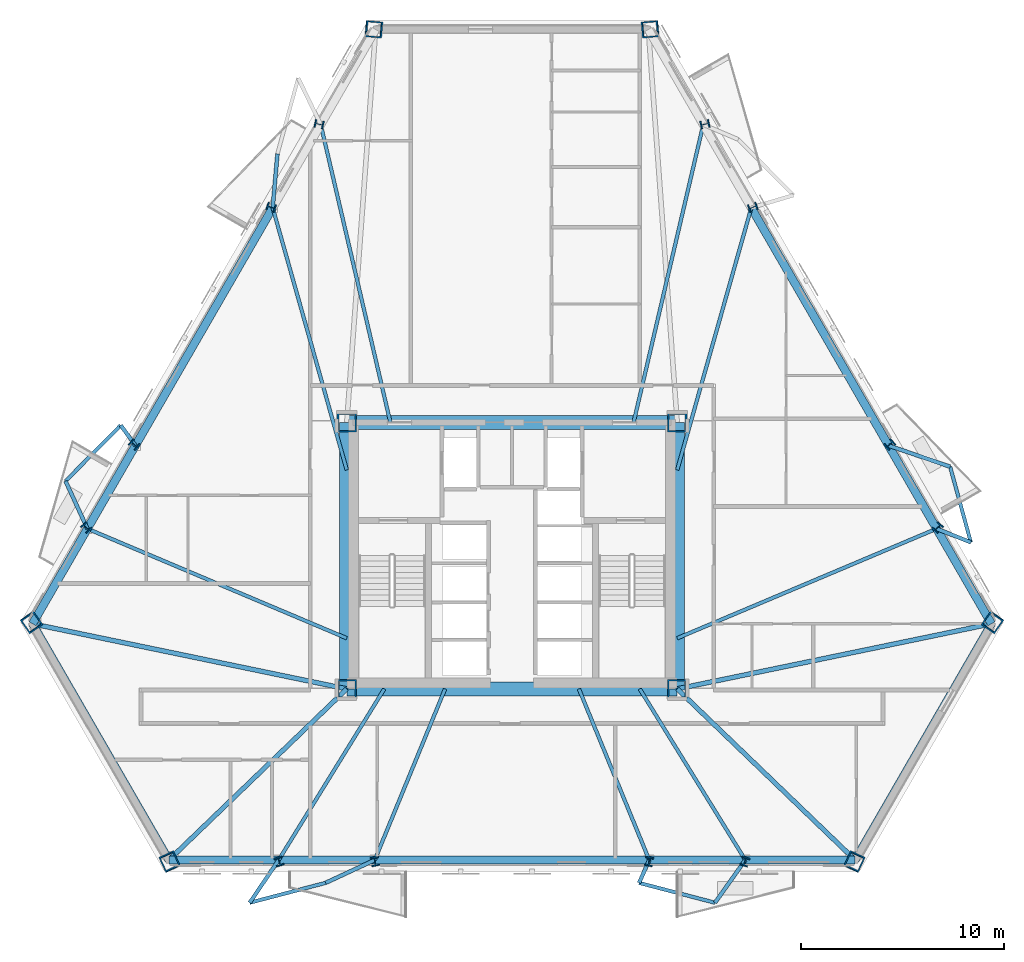
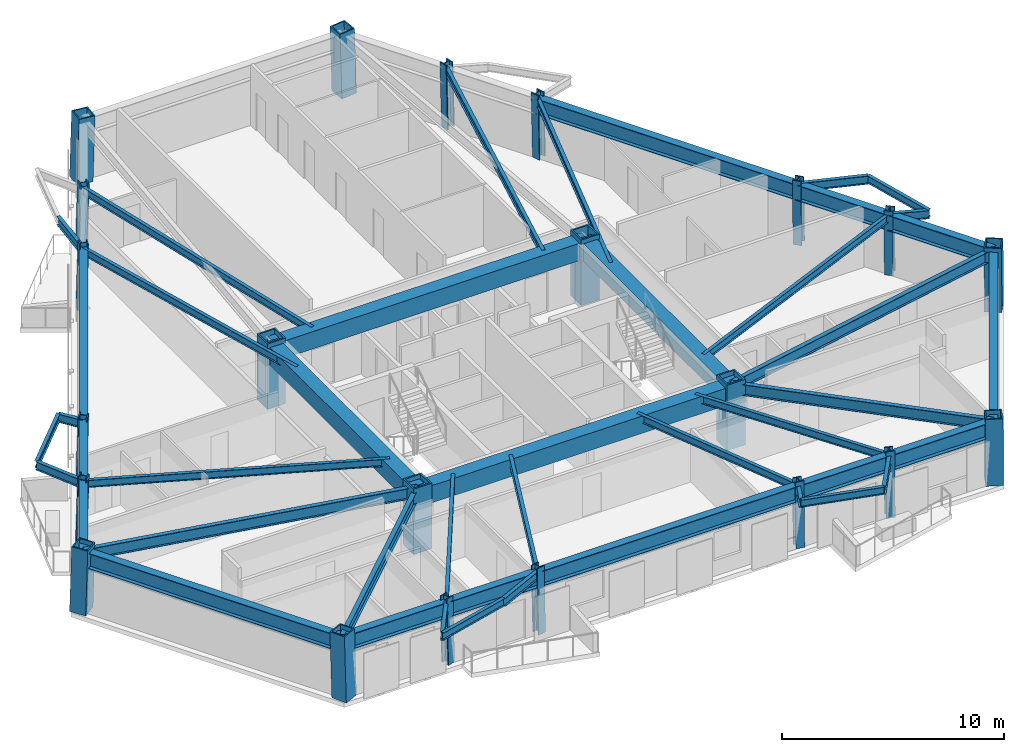
# One storey, part 1 of 10: 44 beams, 22 columns.
"""IFC4 building model written with IfcOpenShell, lengths in metres."""

from ifc_helpers import new_model, si_unit, direction, frame, origin, origin_2d, place, context, subcontext, project, spatial, rectangle, hollow_rectangle, i_section, extrude, material, material_profile, profile_set, type_object, element, save


model = new_model("IFC4")

# Units and contexts
model_context = context("Model", 3, precision=1e-05, world=origin(), true_north=direction((0.0, 1.0)))
body_context = subcontext(model_context, "Body", "Model", "MODEL_VIEW")
ifc_project = project(units=[si_unit("LENGTHUNIT", "METRE"), si_unit("AREAUNIT", "SQUARE_METRE"), si_unit("VOLUMEUNIT", "CUBIC_METRE"), si_unit("PLANEANGLEUNIT", "RADIAN"), si_unit("MASSUNIT", "GRAM", prefix="KILO")], contexts=[model_context])

# Site, building, storey
site_placement = place(None, origin())
site = spatial("IfcSite", under=ifc_project, at=site_placement, CompositionType="ELEMENT")
building_placement = place(site_placement, origin())
building = spatial("IfcBuilding", under=site, at=building_placement, Name="Oramaril Tower", CompositionType="ELEMENT")
storey_placement = place(building_placement, frame((0.0, 0.0, 66.89990234375)))
storey = spatial("IfcBuildingStorey", under=building, at=storey_placement, Name="L17", CompositionType="ELEMENT", Elevation=66.89990234375)

# Columns
ifc_material_1 = material(Name="Steel ASTM A572 Gr 50", Category="steel")
ifc_material_profile_1 = material_profile(ifc_material_1, hollow_rectangle(XDim=0.949951171875, YDim=0.949951171875, WallThickness=0.080078125, at=origin_2d()), Name="BOX950X950X80")
ifc_profile_set_1 = profile_set([ifc_material_profile_1], Name="Steel ASTM A572 Gr 50")
column_type_1 = type_object("IfcColumnType", Name="CT-CC2", PredefinedType="COLUMN", material=ifc_profile_set_1)
for number, where, z_axis, x_axis, name in (
    (1, (29.35009765625, 11.0, 0.0), (0.0, 0.0, 1.0), (1.0, 0.0, 0.0), "L17 Core Column CC-1"),
    (2, (45.64990234375, 11.0, 0.0), (0.0, 0.0, 1.0), (1.0, 0.0, 0.0), "L17 Core Column CC-2"),
    (3, (45.64990234375, 24.14990234375, 0.0), (0.0, 0.0, 1.0), (1.0, 0.0, 0.0), "L17 Core Column CC-3"),
    (4, (29.35009765625, 24.14990234375, 0.0), (0.0, 0.0, 1.0), (1.0, 0.0, 0.0), "L17 Core Column CC-4"),
):
    element("IfcColumn", number, at=place(storey_placement, frame(where, z_axis=z_axis, x_axis=x_axis)), inside=storey, type_object=column_type_1, Name=name, PredefinedType="COLUMN", context=body_context, shape_type="SweptSolid", body=[
        extrude(hollow_rectangle(XDim=0.949951171875, YDim=0.949951171875, WallThickness=0.080078125, at=origin_2d()), origin(), (0.0, 0.0, 1.0), 3.60009765625),
    ])
ifc_material_2 = material(Name="Steel ASTM A572 Gr 50", Category="steel")
ifc_material_profile_2 = material_profile(ifc_material_2, hollow_rectangle(XDim=0.800048828125, YDim=0.800048828125, WallThickness=0.06494140625, at=origin_2d()), Name="BOX800X800X65")
ifc_profile_set_2 = profile_set([ifc_material_profile_2], Name="Steel ASTM A572 Gr 50")
column_type_2 = type_object("IfcColumnType", Name="CT-TC3", PredefinedType="COLUMN", material=ifc_profile_set_2)
for number, where, z_axis, x_axis, name in (
    (5, (13.78759765625, 14.297119140625, 0.004638671875), (0.016717385231, -0.023784897687, 0.999577314505), (0.818132254309, 0.575030098743, 0.0), "L17 Tube Column TC-01"),
    (6, (20.6181640625, 2.4658203125, 0.004638671875), (-0.01223223513, 0.026367262391, 0.999577480688), (-0.907136496953, -0.420836519205, 0.0), "L17 Tube Column TC-02"),
    (7, (54.3818359375, 2.4658203125, 0.004638671875), (0.01223223513, 0.026367262391, 0.999577480688), (-0.907136496953, 0.420836519205, 0.0), "L17 Tube Column TC-03"),
    (8, (61.21240234375, 14.297119140625, 0.004638671875), (-0.016717385231, -0.023784897687, 0.999577314505), (0.818132254309, -0.575030098743, 0.0), "L17 Tube Column TC-04"),
    (9, (44.330810546875, 43.537109375, 0.004638671875), (-0.028949624745, -0.002582360893, 0.999577536082), (0.08884909331, -0.996045098687, 0.0), "L17 Tube Column TC-05"),
    (10, (30.669189453125, 43.537109375, 0.004638671875), (0.028949624745, -0.002582360893, 0.999577536082), (0.08884909331, 0.996045098687, 0.0), "L17 Tube Column TC-06"),
):
    element("IfcColumn", number, at=place(storey_placement, frame(where, z_axis=z_axis, x_axis=x_axis)), inside=storey, type_object=column_type_2, Name=name, PredefinedType="COLUMN", context=body_context, shape_type="SweptSolid", body=[
        extrude(hollow_rectangle(XDim=0.800048828125, YDim=0.800048828125, WallThickness=0.06494140625, at=origin_2d()), origin(), (0.0, 0.0, 1.0), 3.592529296875),
    ])
ifc_material_3 = material(Name="Steel ASTM A572 Gr 50", Category="steel")
ifc_material_profile_3 = material_profile(ifc_material_3, i_section(OverallWidth=0.410888671875, OverallDepth=0.43408203125, WebThickness=0.035888671875, FlangeThickness=0.057373046875, at=origin_2d()), Name="W14X311")
ifc_profile_set_3 = profile_set([ifc_material_profile_3], Name="Steel ASTM A572 Gr 50")
column_type_3 = type_object("IfcColumnType", Name="CT-TF2", PredefinedType="COLUMN", material=ifc_profile_set_3)
column_1_placement = place(storey_placement, frame((26.0205078125, 2.4658203125, 0.004638671875), z_axis=(-0.008359027369, 0.026368313978, 0.999617346128), x_axis=(-0.953247900316, -0.302189411698, 0.0)))
element("IfcColumn", 11, at=column_1_placement, inside=storey, type_object=column_type_3, Name="L17 Tube Column TC-07", PredefinedType="COLUMN", context=body_context, shape_type="SweptSolid", body=[
    extrude(i_section(OverallWidth=0.410888671875, OverallDepth=0.43408203125, WebThickness=0.035888671875, FlangeThickness=0.057373046875, at=origin_2d()), origin(), (0.0, 0.0, 1.0), 3.592529296875),
])
for number, where, z_axis, x_axis, name in (
    (12, (30.747314453125, 2.4658203125, 0.004638671875), (-0.004893201568, 0.02636891956, 0.999640303639), (-0.983214721584, -0.182452216376, 0.0), "L17 Tube Column TC-08"),
    (13, (44.252685546875, 2.4658203125, 0.004638671875), (0.004893201568, 0.02636891956, 0.999640303639), (-0.983214721584, 0.182452216376, 0.0), "L17 Tube Column TC-09"),
):
    element("IfcColumn", number, at=place(storey_placement, frame(where, z_axis=z_axis, x_axis=x_axis)), inside=storey, type_object=column_type_3, Name=name, PredefinedType="COLUMN", context=body_context, shape_type="SweptSolid", body=[
        extrude(i_section(OverallWidth=0.410888671875, OverallDepth=0.43408203125, WebThickness=0.035888671875, FlangeThickness=0.057373046875, at=origin_2d()), origin(), (0.0, 0.0, 1.0), 3.59228515625),
    ])
for number, where, z_axis, x_axis, name in (
    (14, (48.9794921875, 2.4658203125, 0.004638671875), (0.008359027369, 0.026368313978, 0.999617346128), (-0.953247900316, 0.302189411698, 0.0), "L17 Tube Column TC-10"),
    (15, (58.511474609375, 18.975341796875, 0.004638671875), (-0.018688884401, -0.020387873892, 0.999617456929), (0.737154140201, -0.675724628517, 0.0), "L17 Tube Column TC-11"),
):
    element("IfcColumn", number, at=place(storey_placement, frame(where, z_axis=z_axis, x_axis=x_axis)), inside=storey, type_object=column_type_3, Name=name, PredefinedType="COLUMN", context=body_context, shape_type="SweptSolid", body=[
        extrude(i_section(OverallWidth=0.410888671875, OverallDepth=0.43408203125, WebThickness=0.035888671875, FlangeThickness=0.057373046875, at=origin_2d()), origin(), (0.0, 0.0, 1.0), 3.592529296875),
    ])
for number, where, z_axis, x_axis, name in (
    (16, (56.14794921875, 23.069091796875, 0.004638671875), (-0.020388348906, -0.017398057733, 0.999640746877), (0.649119270697, -0.760686645348, 0.0), "L17 Tube Column TC-12"),
    (17, (49.395263671875, 34.76513671875, 0.004638671875), (-0.025281536763, -0.008970867884, 0.999640118957), (0.334409845171, -0.942427745481, 0.0), "L17 Tube Column TC-13"),
):
    element("IfcColumn", number, at=place(storey_placement, frame(where, z_axis=z_axis, x_axis=x_axis)), inside=storey, type_object=column_type_3, Name=name, PredefinedType="COLUMN", context=body_context, shape_type="SweptSolid", body=[
        extrude(i_section(OverallWidth=0.410888671875, OverallDepth=0.43408203125, WebThickness=0.035888671875, FlangeThickness=0.057373046875, at=origin_2d()), origin(), (0.0, 0.0, 1.0), 3.59228515625),
    ])
for number, where, z_axis, x_axis, name in (
    (18, (47.03173828125, 38.858642578125, 0.004638671875), (-0.026979970064, -0.005980446765, 0.999618084806), (0.216409655053, -0.976302648363, 0.0), "L17 Tube Column TC-14"),
    (19, (27.96826171875, 38.858642578125, 0.004638671875), (0.026979970064, -0.005980446765, 0.999618084806), (0.216409655053, 0.976302648363, 0.0), "L17 Tube Column TC-15"),
):
    element("IfcColumn", number, at=place(storey_placement, frame(where, z_axis=z_axis, x_axis=x_axis)), inside=storey, type_object=column_type_3, Name=name, PredefinedType="COLUMN", context=body_context, shape_type="SweptSolid", body=[
        extrude(i_section(OverallWidth=0.410888671875, OverallDepth=0.43408203125, WebThickness=0.035888671875, FlangeThickness=0.057373046875, at=origin_2d()), origin(), (0.0, 0.0, 1.0), 3.592529296875),
    ])
for number, where, z_axis, x_axis, name in (
    (20, (25.604736328125, 34.76513671875, 0.004638671875), (0.025281536763, -0.008970867884, 0.999640118957), (0.334409845171, 0.942427745481, 0.0), "L17 Tube Column TC-16"),
    (21, (18.85205078125, 23.069091796875, 0.004638671875), (0.020388348906, -0.017398057733, 0.999640746877), (0.649119270697, 0.760686645348, 0.0), "L17 Tube Column TC-17"),
):
    element("IfcColumn", number, at=place(storey_placement, frame(where, z_axis=z_axis, x_axis=x_axis)), inside=storey, type_object=column_type_3, Name=name, PredefinedType="COLUMN", context=body_context, shape_type="SweptSolid", body=[
        extrude(i_section(OverallWidth=0.410888671875, OverallDepth=0.43408203125, WebThickness=0.035888671875, FlangeThickness=0.057373046875, at=origin_2d()), origin(), (0.0, 0.0, 1.0), 3.59228515625),
    ])
column_2_placement = place(storey_placement, frame((16.488525390625, 18.975341796875, 0.004638671875), z_axis=(0.018688884401, -0.020387873892, 0.999617456929), x_axis=(0.737154140201, 0.675724628517, 0.0)))
element("IfcColumn", 22, at=column_2_placement, inside=storey, type_object=column_type_3, Name="L17 Tube Column TC-18", PredefinedType="COLUMN", context=body_context, shape_type="SweptSolid", body=[
    extrude(i_section(OverallWidth=0.410888671875, OverallDepth=0.43408203125, WebThickness=0.035888671875, FlangeThickness=0.057373046875, at=origin_2d()), origin(), (0.0, 0.0, 1.0), 3.592529296875),
])

# Beams
ifc_material_4 = material(Name="Steel ASTM A572 Gr 50", Category="steel")
ifc_material_profile_4 = material_profile(ifc_material_4, i_section(OverallWidth=0.19091796875, OverallDepth=0.45703125, WebThickness=0.009033203125, FlangeThickness=0.014404296875, at=origin_2d()), Name="W18X50")
ifc_profile_set_4 = profile_set([ifc_material_profile_4], Name="Steel ASTM A572 Gr 50")
beam_type_1 = type_object("IfcBeamType", Name="BT-BB1", PredefinedType="BEAM", material=ifc_profile_set_4)
beam_1_placement = place(storey_placement, frame((25.990478515625, 2.560546875, 3.131591796875), z_axis=(-0.561055877762, -0.827777930383, 0.0), x_axis=(0.827777930383, -0.561055877762, 0.0)))
element("IfcBeam", 23, at=beam_1_placement, inside=storey, type_object=beam_type_1, Name="L17 Balcony Column-Framed Cantilever 01.1", PredefinedType="BEAM", context=body_context, shape_type="SweptSolid", body=[
    extrude(i_section(OverallWidth=0.19091796875, OverallDepth=0.45703125, WebThickness=0.009033203125, FlangeThickness=0.014404296875, at=origin_2d()), origin(), (0.0, 0.0, 1.0), 2.54638671875),
])
beam_2_placement = place(storey_placement, frame((30.729736328125, 2.560546875, 3.131591796875), z_axis=(-0.906656137899, -0.421870415661, 0.0), x_axis=(0.421870415661, -0.906656137899, 0.0)))
element("IfcBeam", 24, at=beam_2_placement, inside=storey, type_object=beam_type_1, Name="L17 Balcony Column-Framed Cantilever 01.2", PredefinedType="BEAM", context=body_context, shape_type="SweptSolid", body=[
    extrude(i_section(OverallWidth=0.19091796875, OverallDepth=0.45703125, WebThickness=0.009033203125, FlangeThickness=0.014404296875, at=origin_2d()), origin(), (0.0, 0.0, 1.0), 2.673583984375),
])
beam_3_placement = place(storey_placement, frame((44.270263671875, 2.560546875, 3.131591796875), z_axis=(-0.405918205637, -0.913909410353, 0.0), x_axis=(0.913909410353, -0.405918205637, 0.0)))
element("IfcBeam", 25, at=beam_3_placement, inside=storey, type_object=beam_type_1, Name="L17 Balcony Column-Framed Cantilever 02.1", PredefinedType="BEAM", context=body_context, shape_type="SweptSolid", body=[
    extrude(i_section(OverallWidth=0.19091796875, OverallDepth=0.45703125, WebThickness=0.009033203125, FlangeThickness=0.014404296875, at=origin_2d()), origin(), (0.0, 0.0, 1.0), 1.234130859375),
])
beam_4_placement = place(storey_placement, frame((49.009521484375, 2.560546875, 3.131591796875), z_axis=(-0.578850334688, -0.815433804813, 0.0), x_axis=(0.815433804813, -0.578850334688, 0.0)))
element("IfcBeam", 26, at=beam_4_placement, inside=storey, type_object=beam_type_1, Name="L17 Balcony Column-Framed Cantilever 02.2", PredefinedType="BEAM", context=body_context, shape_type="SweptSolid", body=[
    extrude(i_section(OverallWidth=0.19091796875, OverallDepth=0.45703125, WebThickness=0.009033203125, FlangeThickness=0.014404296875, at=origin_2d()), origin(), (0.0, 0.0, 1.0), 2.5849609375),
])
beam_5_placement = place(storey_placement, frame((58.4443359375, 18.902099609375, 3.131591796875), z_axis=(0.929067500926, -0.369910230627, 0.0), x_axis=(0.369910230627, 0.929067500926, 0.0)))
element("IfcBeam", 27, at=beam_5_placement, inside=storey, type_object=beam_type_1, Name="L17 Balcony Column-Framed Cantilever 03.1", PredefinedType="BEAM", context=body_context, shape_type="SweptSolid", body=[
    extrude(i_section(OverallWidth=0.19091796875, OverallDepth=0.45703125, WebThickness=0.009033203125, FlangeThickness=0.014404296875, at=origin_2d()), origin(), (0.0, 0.0, 1.0), 1.8203125),
])
beam_6_placement = place(storey_placement, frame((56.07470703125, 23.006591796875, 3.131591796875), z_axis=(0.945568258456, -0.325423829184, 0.0), x_axis=(0.325423829184, 0.945568258456, 0.0)))
element("IfcBeam", 28, at=beam_6_placement, inside=storey, type_object=beam_type_1, Name="L17 Balcony Column-Framed Cantilever 03.2", PredefinedType="BEAM", context=body_context, shape_type="SweptSolid", body=[
    extrude(i_section(OverallWidth=0.19091796875, OverallDepth=0.45703125, WebThickness=0.009033203125, FlangeThickness=0.014404296875, at=origin_2d()), origin(), (0.0, 0.0, 1.0), 3.21240234375),
])
beam_7_placement = place(storey_placement, frame((25.695556640625, 34.73291015625, 3.131591796875), z_axis=(0.087933783868, 0.996126322137, 0.0), x_axis=(-0.996126322137, 0.087933783868, 0.0)))
element("IfcBeam", 29, at=beam_7_placement, inside=storey, type_object=beam_type_1, Name="L17 Balcony Column-Framed Cantilever 05.2", PredefinedType="BEAM", context=body_context, shape_type="SweptSolid", body=[
    extrude(i_section(OverallWidth=0.19091796875, OverallDepth=0.45703125, WebThickness=0.009033203125, FlangeThickness=0.014404296875, at=origin_2d()), origin(), (0.0, 0.0, 1.0), 2.673583984375),
])
beam_8_placement = place(storey_placement, frame((18.92529296875, 23.006591796875, 3.131591796875), z_axis=(-0.588512750182, 0.808487936133, 0.0), x_axis=(-0.808487936133, -0.588512750182, 0.0)))
element("IfcBeam", 30, at=beam_8_placement, inside=storey, type_object=beam_type_1, Name="L17 Balcony Column-Framed Cantilever 06.1", PredefinedType="BEAM", context=body_context, shape_type="SweptSolid", body=[
    extrude(i_section(OverallWidth=0.19091796875, OverallDepth=0.45703125, WebThickness=0.009033203125, FlangeThickness=0.014404296875, at=origin_2d()), origin(), (0.0, 0.0, 1.0), 1.234130859375),
])
beam_9_placement = place(storey_placement, frame((16.5556640625, 18.902099609375, 3.131591796875), z_axis=(-0.41677502965, 0.909009666979, 0.0), x_axis=(-0.909009666979, -0.41677502965, 0.0)))
element("IfcBeam", 31, at=beam_9_placement, inside=storey, type_object=beam_type_1, Name="L17 Balcony Column-Framed Cantilever 06.2", PredefinedType="BEAM", context=body_context, shape_type="SweptSolid", body=[
    extrude(i_section(OverallWidth=0.19091796875, OverallDepth=0.45703125, WebThickness=0.009033203125, FlangeThickness=0.014404296875, at=origin_2d()), origin(), (0.0, 0.0, 1.0), 2.5849609375),
])
ifc_material_5 = material(Name="Concrete C50/60", Category="concrete")
ifc_material_profile_5 = material_profile(ifc_material_5, rectangle(XDim=0.699951171875, YDim=0.949951171875, at=origin_2d()), Name="CB700X950")
ifc_profile_set_5 = profile_set([ifc_material_profile_5], Name="Concrete C50/60")
beam_type_2 = type_object("IfcBeamType", Name="BT-CB1", PredefinedType="BEAM", material=ifc_profile_set_5)
beam_10_placement = place(storey_placement, frame((29.35009765625, 11.0, 2.885009765625), z_axis=(1.0, 0.0, 0.0), x_axis=(0.0, 1.0, 0.0)))
element("IfcBeam", 32, at=beam_10_placement, inside=storey, type_object=beam_type_2, Name="L17 Core Header Beam CB-1", PredefinedType="BEAM", context=body_context, shape_type="SweptSolid", body=[
    extrude(rectangle(XDim=0.699951171875, YDim=0.949951171875, at=origin_2d()), origin(), (0.0, 0.0, 1.0), 16.2998046875),
])
beam_11_placement = place(storey_placement, frame((45.64990234375, 11.0, 2.885009765625), z_axis=(0.0, 1.0, 0.0), x_axis=(-1.0, 0.0, 0.0)))
element("IfcBeam", 33, at=beam_11_placement, inside=storey, type_object=beam_type_2, Name="L17 Core Header Beam CB-2", PredefinedType="BEAM", context=body_context, shape_type="SweptSolid", body=[
    extrude(rectangle(XDim=0.699951171875, YDim=0.949951171875, at=origin_2d()), origin(), (0.0, 0.0, 1.0), 13.14990234375),
])
beam_12_placement = place(storey_placement, frame((45.64990234375, 24.14990234375, 2.885009765625), z_axis=(-1.0, 0.0, 0.0), x_axis=(0.0, -1.0, 0.0)))
element("IfcBeam", 34, at=beam_12_placement, inside=storey, type_object=beam_type_2, Name="L17 Core Header Beam CB-3", PredefinedType="BEAM", context=body_context, shape_type="SweptSolid", body=[
    extrude(rectangle(XDim=0.699951171875, YDim=0.949951171875, at=origin_2d()), origin(), (0.0, 0.0, 1.0), 16.2998046875),
])
beam_13_placement = place(storey_placement, frame((29.35009765625, 24.14990234375, 2.885009765625), z_axis=(0.0, -1.0, 0.0), x_axis=(1.0, 0.0, 0.0)))
element("IfcBeam", 35, at=beam_13_placement, inside=storey, type_object=beam_type_2, Name="L17 Core Header Beam CB-4", PredefinedType="BEAM", context=body_context, shape_type="SweptSolid", body=[
    extrude(rectangle(XDim=0.699951171875, YDim=0.949951171875, at=origin_2d()), origin(), (0.0, 0.0, 1.0), 13.14990234375),
])
ifc_material_6 = material(Name="Steel ASTM A572 Gr 50", Category="steel")
ifc_material_profile_6 = material_profile(ifc_material_6, i_section(OverallWidth=0.22900390625, OverallDepth=0.612060546875, WebThickness=0.011962890625, FlangeThickness=0.01953125, at=origin_2d()), Name="W24X84")
ifc_profile_set_6 = profile_set([ifc_material_profile_6], Name="Steel ASTM A572 Gr 50")
beam_type_3 = type_object("IfcBeamType", Name="BT-FB1", PredefinedType="BEAM", material=ifc_profile_set_6)
beam_14_placement = place(storey_placement, frame((29.35009765625, 11.0, 3.05419921875), z_axis=(-0.979206895202, 0.202864132829, 0.0), x_axis=(-0.202864132829, -0.979206895202, 0.0)))
element("IfcBeam", 36, at=beam_14_placement, inside=storey, type_object=beam_type_3, Name="L17 Radial Primary Beam RB-01", PredefinedType="BEAM", context=body_context, shape_type="SweptSolid", body=[
    extrude(i_section(OverallWidth=0.22900390625, OverallDepth=0.612060546875, WebThickness=0.011962890625, FlangeThickness=0.01953125, at=origin_2d()), origin(), (0.0, 0.0, 1.0), 15.83154296875),
])
for number, where, z_axis, x_axis, name in (
    (37, (29.35009765625, 11.0, 3.05419921875), (-0.720787595811, -0.693156001002, 0.0), (0.693156001002, -0.720787595811, 0.0), "L17 Radial Primary Beam RB-02"),
    (38, (45.64990234375, 11.0, 3.05419921875), (0.720787595811, -0.693156001002, 0.0), (0.693156001002, 0.720787595811, 0.0), "L17 Radial Primary Beam RB-03"),
):
    element("IfcBeam", number, at=place(storey_placement, frame(where, z_axis=z_axis, x_axis=x_axis)), inside=storey, type_object=beam_type_3, Name=name, PredefinedType="BEAM", context=body_context, shape_type="SweptSolid", body=[
        extrude(i_section(OverallWidth=0.22900390625, OverallDepth=0.612060546875, WebThickness=0.011962890625, FlangeThickness=0.01953125, at=origin_2d()), origin(), (0.0, 0.0, 1.0), 12.17529296875),
    ])
beam_15_placement = place(storey_placement, frame((45.64990234375, 11.0, 3.05419921875), z_axis=(0.979206895202, 0.202864132829, 0.0), x_axis=(-0.202864132829, 0.979206895202, 0.0)))
element("IfcBeam", 39, at=beam_15_placement, inside=storey, type_object=beam_type_3, Name="L17 Radial Primary Beam RB-04", PredefinedType="BEAM", context=body_context, shape_type="SweptSolid", body=[
    extrude(i_section(OverallWidth=0.22900390625, OverallDepth=0.612060546875, WebThickness=0.011962890625, FlangeThickness=0.01953125, at=origin_2d()), origin(), (0.0, 0.0, 1.0), 15.83154296875),
])
ifc_material_7 = material(Name="Steel ASTM A572 Gr 50", Category="steel")
ifc_material_profile_7 = material_profile(ifc_material_7, i_section(OverallWidth=0.177978515625, OverallDepth=0.404052734375, WebThickness=0.007568359375, FlangeThickness=0.010986328125, at=origin_2d()), Name="W16X36")
ifc_profile_set_7 = profile_set([ifc_material_profile_7], Name="Steel ASTM A572 Gr 50")
beam_type_4 = type_object("IfcBeamType", Name="BT-SB1", PredefinedType="BEAM", material=ifc_profile_set_7)
beam_16_placement = place(storey_placement, frame((31.199951171875, 11.0, 3.158203125), z_axis=(-0.525264362553, -0.850939098544, 0.0), x_axis=(0.850939098544, -0.525264362553, 0.0)))
element("IfcBeam", 40, at=beam_16_placement, inside=storey, type_object=beam_type_4, Name="L17 Secondary Floor Beam SB-01", PredefinedType="BEAM", context=body_context, shape_type="SweptSolid", body=[
    extrude(i_section(OverallWidth=0.177978515625, OverallDepth=0.404052734375, WebThickness=0.007568359375, FlangeThickness=0.010986328125, at=origin_2d()), origin(), (0.0, 0.0, 1.0), 9.917724609375),
])
for number, where, z_axis, x_axis, name in (
    (41, (34.199951171875, 11.0, 3.158203125), (-0.380294924965, -0.924865271294, 0.0), (0.924865271294, -0.380294924965, 0.0), "L17 Secondary Floor Beam SB-02"),
    (42, (40.800048828125, 11.0, 3.158203125), (0.380294924965, -0.924865271294, 0.0), (0.924865271294, 0.380294924965, 0.0), "L17 Secondary Floor Beam SB-03"),
):
    element("IfcBeam", number, at=place(storey_placement, frame(where, z_axis=z_axis, x_axis=x_axis)), inside=storey, type_object=beam_type_4, Name=name, PredefinedType="BEAM", context=body_context, shape_type="SweptSolid", body=[
        extrude(i_section(OverallWidth=0.177978515625, OverallDepth=0.404052734375, WebThickness=0.007568359375, FlangeThickness=0.010986328125, at=origin_2d()), origin(), (0.0, 0.0, 1.0), 9.125),
    ])
beam_17_placement = place(storey_placement, frame((43.800048828125, 11.0, 3.158203125), z_axis=(0.525264362553, -0.850939098544, 0.0), x_axis=(0.850939098544, 0.525264362553, 0.0)))
element("IfcBeam", 43, at=beam_17_placement, inside=storey, type_object=beam_type_4, Name="L17 Secondary Floor Beam SB-04", PredefinedType="BEAM", context=body_context, shape_type="SweptSolid", body=[
    extrude(i_section(OverallWidth=0.177978515625, OverallDepth=0.404052734375, WebThickness=0.007568359375, FlangeThickness=0.010986328125, at=origin_2d()), origin(), (0.0, 0.0, 1.0), 9.917724609375),
])
beam_18_placement = place(storey_placement, frame((45.64990234375, 13.5, 3.158203125), z_axis=(0.921249421427, 0.388972368582, 0.0), x_axis=(-0.388972368582, 0.921249421427, 0.0)))
element("IfcBeam", 44, at=beam_18_placement, inside=storey, type_object=beam_type_4, Name="L17 Secondary Floor Beam SB-05", PredefinedType="BEAM", context=body_context, shape_type="SweptSolid", body=[
    extrude(i_section(OverallWidth=0.177978515625, OverallDepth=0.404052734375, WebThickness=0.007568359375, FlangeThickness=0.010986328125, at=origin_2d()), origin(), (0.0, 0.0, 1.0), 13.88818359375),
])
beam_19_placement = place(storey_placement, frame((45.64990234375, 21.800048828125, 3.158203125), z_axis=(0.271929576963, 0.962317154151, 0.0), x_axis=(-0.962317154151, 0.271929576963, 0.0)))
element("IfcBeam", 45, at=beam_19_placement, inside=storey, type_object=beam_type_4, Name="L17 Secondary Floor Beam SB-06", PredefinedType="BEAM", context=body_context, shape_type="SweptSolid", body=[
    extrude(i_section(OverallWidth=0.177978515625, OverallDepth=0.404052734375, WebThickness=0.007568359375, FlangeThickness=0.010986328125, at=origin_2d()), origin(), (0.0, 0.0, 1.0), 13.439208984375),
])
for number, where, z_axis, x_axis, name in (
    (46, (43.5, 24.14990234375, 3.158203125), (0.227719256893, 0.973726830297, 0.0), (-0.973726830297, 0.227719256893, 0.0), "L17 Secondary Floor Beam SB-07"),
    (47, (31.5, 24.14990234375, 3.158203125), (-0.227719256893, 0.973726830297, 0.0), (-0.973726830297, -0.227719256893, 0.0), "L17 Secondary Floor Beam SB-08"),
):
    element("IfcBeam", number, at=place(storey_placement, frame(where, z_axis=z_axis, x_axis=x_axis)), inside=storey, type_object=beam_type_4, Name=name, PredefinedType="BEAM", context=body_context, shape_type="SweptSolid", body=[
        extrude(i_section(OverallWidth=0.177978515625, OverallDepth=0.404052734375, WebThickness=0.007568359375, FlangeThickness=0.010986328125, at=origin_2d()), origin(), (0.0, 0.0, 1.0), 15.08349609375),
    ])
beam_20_placement = place(storey_placement, frame((29.35009765625, 21.800048828125, 3.158203125), z_axis=(-0.271929576963, 0.962317154151, 0.0), x_axis=(-0.962317154151, -0.271929576963, 0.0)))
element("IfcBeam", 48, at=beam_20_placement, inside=storey, type_object=beam_type_4, Name="L17 Secondary Floor Beam SB-09", PredefinedType="BEAM", context=body_context, shape_type="SweptSolid", body=[
    extrude(i_section(OverallWidth=0.177978515625, OverallDepth=0.404052734375, WebThickness=0.007568359375, FlangeThickness=0.010986328125, at=origin_2d()), origin(), (0.0, 0.0, 1.0), 13.439208984375),
])
beam_21_placement = place(storey_placement, frame((29.35009765625, 13.5, 3.158203125), z_axis=(-0.921249421427, 0.388972368582, 0.0), x_axis=(-0.388972368582, -0.921249421427, 0.0)))
element("IfcBeam", 49, at=beam_21_placement, inside=storey, type_object=beam_type_4, Name="L17 Secondary Floor Beam SB-10", PredefinedType="BEAM", context=body_context, shape_type="SweptSolid", body=[
    extrude(i_section(OverallWidth=0.177978515625, OverallDepth=0.404052734375, WebThickness=0.007568359375, FlangeThickness=0.010986328125, at=origin_2d()), origin(), (0.0, 0.0, 1.0), 13.88818359375),
])
for number, where, z_axis, x_axis, name in (
    (50, (24.561767578125, 0.45263671875, 3.158203125), (0.967407922874, 0.253223045479, 0.0), (-0.253223045479, 0.967407922874, 0.0), "L17 Balcony Edge Tie Beam 01"),
    (51, (43.769287109375, 1.4326171875, 3.158203125), (0.967407922874, -0.253223045479, 0.0), (0.253223045479, 0.967407922874, 0.0), "L17 Balcony Edge Tie Beam 02"),
    (52, (60.135498046875, 18.228759765625, 3.158203125), (-0.264382243015, 0.964417974521, 0.0), (-0.964417974521, -0.264382243015, 0.0), "L17 Balcony Edge Tie Beam 03"),
    (53, (18.198974609375, 24.00439453125, 3.158203125), (-0.702994511648, -0.71119527318, 0.0), (0.71119527318, -0.702994511648, 0.0), "L17 Balcony Edge Tie Beam 06"),
):
    element("IfcBeam", number, at=place(storey_placement, frame(where, z_axis=z_axis, x_axis=x_axis)), inside=storey, type_object=beam_type_4, Name=name, PredefinedType="BEAM", context=body_context, shape_type="SweptSolid", body=[
        extrude(i_section(OverallWidth=0.177978515625, OverallDepth=0.404052734375, WebThickness=0.007568359375, FlangeThickness=0.010986328125, at=origin_2d()), origin(), (0.0, 0.0, 1.0), 3.8701171875),
    ])
ifc_material_8 = material(Name="Steel ASTM A572 Gr 50", Category="steel")
ifc_material_profile_8 = material_profile(ifc_material_8, i_section(OverallWidth=0.40087890625, OverallDepth=0.85595703125, WebThickness=0.018310546875, FlangeThickness=0.029296875, at=origin_2d()), Name="W33X201")
ifc_profile_set_8 = profile_set([ifc_material_profile_8], Name="Steel ASTM A572 Gr 50")
beam_type_5 = type_object("IfcBeamType", Name="BT-SP1", PredefinedType="SPANDREL", material=ifc_profile_set_8)
beam_22_placement = place(storey_placement, frame((13.84765625, 14.211669921875, 2.93212890625), z_axis=(0.499987929025, -0.866032372853, 0.0), x_axis=(0.866032372853, 0.499987929025, 0.0)))
element("IfcBeam", 54, at=beam_22_placement, inside=storey, type_object=beam_type_5, Name="L17 Perimeter Spandrel 01", PredefinedType="SPANDREL", context=body_context, shape_type="SweptSolid", body=[
    extrude(i_section(OverallWidth=0.40087890625, OverallDepth=0.85595703125, WebThickness=0.018310546875, FlangeThickness=0.029296875, at=origin_2d()), origin(), (0.0, 0.0, 1.0), 13.453369140625),
])
beam_23_placement = place(storey_placement, frame((20.57421875, 2.560546875, 2.93212890625), z_axis=(1.0, 0.0, 0.0), x_axis=(0.0, 1.0, 0.0)))
element("IfcBeam", 55, at=beam_23_placement, inside=storey, type_object=beam_type_5, Name="L17 Perimeter Spandrel 02", PredefinedType="SPANDREL", context=body_context, shape_type="SweptSolid", body=[
    extrude(i_section(OverallWidth=0.40087890625, OverallDepth=0.85595703125, WebThickness=0.018310546875, FlangeThickness=0.029296875, at=origin_2d()), origin(), (0.0, 0.0, 1.0), 5.416259765625),
])
beam_24_placement = place(storey_placement, frame((25.990478515625, 2.560546875, 2.93212890625), z_axis=(1.0, 0.0, 0.0), x_axis=(0.0, 1.0, 0.0)))
element("IfcBeam", 56, at=beam_24_placement, inside=storey, type_object=beam_type_5, Name="L17 Perimeter Spandrel 03", PredefinedType="SPANDREL", context=body_context, shape_type="SweptSolid", body=[
    extrude(i_section(OverallWidth=0.40087890625, OverallDepth=0.85595703125, WebThickness=0.018310546875, FlangeThickness=0.029296875, at=origin_2d()), origin(), (0.0, 0.0, 1.0), 4.7392578125),
])
beam_25_placement = place(storey_placement, frame((30.729736328125, 2.560546875, 2.93212890625), z_axis=(1.0, 0.0, 0.0), x_axis=(0.0, 1.0, 0.0)))
element("IfcBeam", 57, at=beam_25_placement, inside=storey, type_object=beam_type_5, Name="L17 Perimeter Spandrel 04", PredefinedType="SPANDREL", context=body_context, shape_type="SweptSolid", body=[
    extrude(i_section(OverallWidth=0.40087890625, OverallDepth=0.85595703125, WebThickness=0.018310546875, FlangeThickness=0.029296875, at=origin_2d()), origin(), (0.0, 0.0, 1.0), 13.54052734375),
])
beam_26_placement = place(storey_placement, frame((44.270263671875, 2.560546875, 2.93212890625), z_axis=(1.0, 0.0, 0.0), x_axis=(0.0, 1.0, 0.0)))
element("IfcBeam", 58, at=beam_26_placement, inside=storey, type_object=beam_type_5, Name="L17 Perimeter Spandrel 05", PredefinedType="SPANDREL", context=body_context, shape_type="SweptSolid", body=[
    extrude(i_section(OverallWidth=0.40087890625, OverallDepth=0.85595703125, WebThickness=0.018310546875, FlangeThickness=0.029296875, at=origin_2d()), origin(), (0.0, 0.0, 1.0), 4.7392578125),
])
beam_27_placement = place(storey_placement, frame((49.009521484375, 2.560546875, 2.93212890625), z_axis=(1.0, 0.0, 0.0), x_axis=(0.0, 1.0, 0.0)))
element("IfcBeam", 59, at=beam_27_placement, inside=storey, type_object=beam_type_5, Name="L17 Perimeter Spandrel 06", PredefinedType="SPANDREL", context=body_context, shape_type="SweptSolid", body=[
    extrude(i_section(OverallWidth=0.40087890625, OverallDepth=0.85595703125, WebThickness=0.018310546875, FlangeThickness=0.029296875, at=origin_2d()), origin(), (0.0, 0.0, 1.0), 5.416259765625),
])
beam_28_placement = place(storey_placement, frame((54.42578125, 2.560546875, 2.93212890625), z_axis=(0.499987929025, 0.866032372853, 0.0), x_axis=(-0.866032372853, 0.499987929025, 0.0)))
element("IfcBeam", 60, at=beam_28_placement, inside=storey, type_object=beam_type_5, Name="L17 Perimeter Spandrel 07", PredefinedType="SPANDREL", context=body_context, shape_type="SweptSolid", body=[
    extrude(i_section(OverallWidth=0.40087890625, OverallDepth=0.85595703125, WebThickness=0.018310546875, FlangeThickness=0.029296875, at=origin_2d()), origin(), (0.0, 0.0, 1.0), 13.453369140625),
])
beam_29_placement = place(storey_placement, frame((61.15234375, 14.211669921875, 2.93212890625), z_axis=(-0.499998195608, 0.866026445548, 0.0), x_axis=(-0.866026445548, -0.499998195608, 0.0)))
element("IfcBeam", 61, at=beam_29_placement, inside=storey, type_object=beam_type_5, Name="L17 Perimeter Spandrel 08", PredefinedType="SPANDREL", context=body_context, shape_type="SweptSolid", body=[
    extrude(i_section(OverallWidth=0.40087890625, OverallDepth=0.85595703125, WebThickness=0.018310546875, FlangeThickness=0.029296875, at=origin_2d()), origin(), (0.0, 0.0, 1.0), 5.416015625),
])
beam_30_placement = place(storey_placement, frame((58.4443359375, 18.902099609375, 2.93212890625), z_axis=(-0.4999840544, 0.866034609785, 0.0), x_axis=(-0.866034609785, -0.4999840544, 0.0)))
element("IfcBeam", 62, at=beam_30_placement, inside=storey, type_object=beam_type_5, Name="L17 Perimeter Spandrel 09", PredefinedType="SPANDREL", context=body_context, shape_type="SweptSolid", body=[
    extrude(i_section(OverallWidth=0.40087890625, OverallDepth=0.85595703125, WebThickness=0.018310546875, FlangeThickness=0.029296875, at=origin_2d()), origin(), (0.0, 0.0, 1.0), 4.739501953125),
])
for number, where, z_axis, x_axis, name in (
    (63, (56.07470703125, 23.006591796875, 2.93212890625), (-0.500003911089, 0.866023145704, 0.0), (-0.866023145704, -0.500003911089, 0.0), "L17 Perimeter Spandrel 10"),
    (64, (25.695556640625, 34.73291015625, 2.93212890625), (-0.500003911089, -0.866023145704, 0.0), (0.866023145704, -0.500003911089, 0.0), "L17 Perimeter Spandrel 16"),
):
    element("IfcBeam", number, at=place(storey_placement, frame(where, z_axis=z_axis, x_axis=x_axis)), inside=storey, type_object=beam_type_5, Name=name, PredefinedType="SPANDREL", context=body_context, shape_type="SweptSolid", body=[
        extrude(i_section(OverallWidth=0.40087890625, OverallDepth=0.85595703125, WebThickness=0.018310546875, FlangeThickness=0.029296875, at=origin_2d()), origin(), (0.0, 0.0, 1.0), 13.54052734375),
    ])
beam_31_placement = place(storey_placement, frame((18.92529296875, 23.006591796875, 2.93212890625), z_axis=(-0.4999840544, -0.866034609785, 0.0), x_axis=(0.866034609785, -0.4999840544, 0.0)))
element("IfcBeam", 65, at=beam_31_placement, inside=storey, type_object=beam_type_5, Name="L17 Perimeter Spandrel 17", PredefinedType="SPANDREL", context=body_context, shape_type="SweptSolid", body=[
    extrude(i_section(OverallWidth=0.40087890625, OverallDepth=0.85595703125, WebThickness=0.018310546875, FlangeThickness=0.029296875, at=origin_2d()), origin(), (0.0, 0.0, 1.0), 4.739501953125),
])
beam_32_placement = place(storey_placement, frame((16.5556640625, 18.902099609375, 2.93212890625), z_axis=(-0.499998195608, -0.866026445548, 0.0), x_axis=(0.866026445548, -0.499998195608, 0.0)))
element("IfcBeam", 66, at=beam_32_placement, inside=storey, type_object=beam_type_5, Name="L17 Perimeter Spandrel 18", PredefinedType="SPANDREL", context=body_context, shape_type="SweptSolid", body=[
    extrude(i_section(OverallWidth=0.40087890625, OverallDepth=0.85595703125, WebThickness=0.018310546875, FlangeThickness=0.029296875, at=origin_2d()), origin(), (0.0, 0.0, 1.0), 5.416015625),
])

save(model, "model.ifc")
